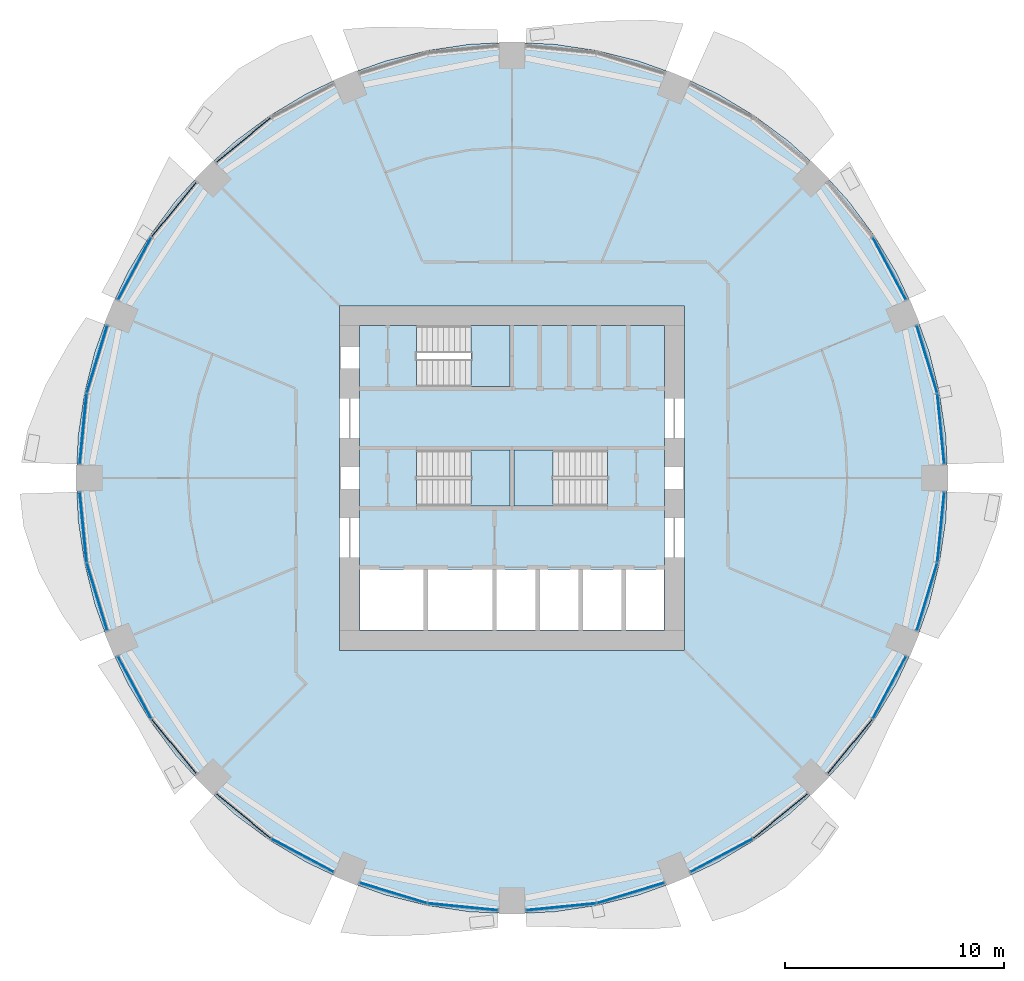
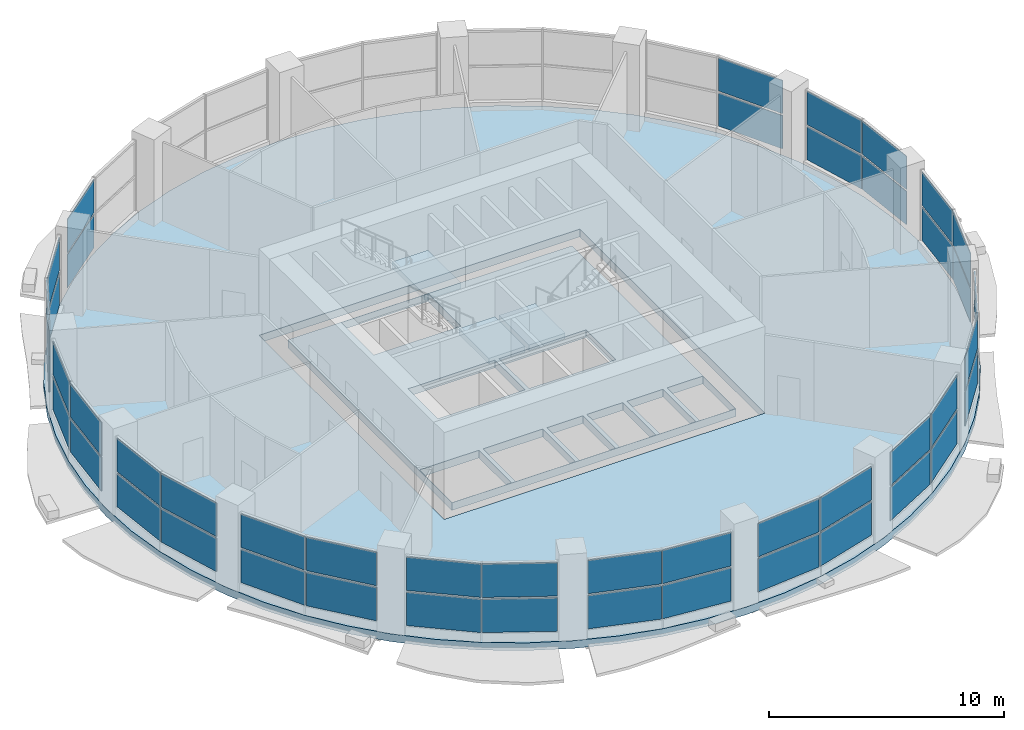
# One storey, part 6 of 14: 48 plates, 5 slabs, 16 elements without a shape of their own.
"""IFC4 building model written with IfcOpenShell, lengths in metres."""

from ifc_helpers import new_model, si_unit, direction, frame, origin, origin_2d, place, context, subcontext, project, spatial, polyline, rectangle, outline, extrude, material, layer, layer_set, type_object, element, aggregate, save


model = new_model("IFC4")

# Units and contexts
model_context = context("Model", 3, precision=1e-05, world=origin(), true_north=direction((0.0, 1.0)))
body_context = subcontext(model_context, "Body", "Model", "MODEL_VIEW")
ifc_project = project(units=[si_unit("LENGTHUNIT", "METRE"), si_unit("AREAUNIT", "SQUARE_METRE"), si_unit("VOLUMEUNIT", "CUBIC_METRE"), si_unit("PLANEANGLEUNIT", "RADIAN"), si_unit("MASSUNIT", "GRAM", prefix="KILO")], contexts=[model_context])

# Site, building, storey
site_placement = place(None, origin())
site = spatial("IfcSite", under=ifc_project, at=site_placement, CompositionType="ELEMENT")
building_placement = place(site_placement, origin())
building = spatial("IfcBuilding", under=site, at=building_placement, Name="Polderwave Tower", CompositionType="ELEMENT")
storey_placement = place(building_placement, frame((0.0, 0.0, 9.89990234375)))
storey = spatial("IfcBuildingStorey", under=building, at=storey_placement, Name="L02", CompositionType="ELEMENT", Elevation=9.89990234375)

# Slabs
ifc_material_1 = material(Name="Concrete C40/50", Category="concrete")
ifc_layer_1 = layer(ifc_material_1, 0.39990234375)
ifc_layer_set_1 = layer_set([ifc_layer_1], Name="Core floor slab 400")
slab_type_1 = type_object("IfcSlabType", Name="Core floor slab 400", PredefinedType="FLOOR", material=ifc_layer_set_1)
slab_1_placement = place(storey_placement, frame((0.0, 0.0, -0.39990234375)))
element("IfcSlab", 1, at=slab_1_placement, inside=storey, type_object=slab_type_1, Name="L02 core floor", PredefinedType="FLOOR", context=body_context, shape_type="SweptSolid", body=[
    extrude(outline(polyline([(-6.97412109375, -6.97412109375), (6.97412109375, -6.97412109375), (6.97412109375, 6.97412109375), (-6.97412109375, 6.97412109375), (-6.97412109375, -6.97412109375)]), holes=[polyline([(-6.9541015625, -6.9541015625), (-4.037109375, -6.9541015625), (-4.037109375, -4.174072265625), (-6.9541015625, -4.174072265625), (-6.9541015625, -6.9541015625)]), polyline([(-3.8369140625, -6.9541015625), (-0.89990234375, -6.9541015625), (-0.89990234375, -4.174072265625), (-3.8369140625, -4.174072265625), (-3.8369140625, -6.9541015625)]), polyline([(-0.699951171875, -6.9541015625), (1.068603515625, -6.9541015625), (1.068603515625, -4.174072265625), (-0.699951171875, -4.174072265625), (-0.699951171875, -6.9541015625)]), polyline([(1.2685546875, -6.9541015625), (3.037109375, -6.9541015625), (3.037109375, -4.174072265625), (1.2685546875, -4.174072265625), (1.2685546875, -6.9541015625)]), polyline([(3.237060546875, -6.9541015625), (5.005615234375, -6.9541015625), (5.005615234375, -4.174072265625), (3.237060546875, -4.174072265625), (3.237060546875, -6.9541015625)]), polyline([(5.20556640625, -6.9541015625), (6.9541015625, -6.9541015625), (6.9541015625, -4.174072265625), (5.20556640625, -4.174072265625), (5.20556640625, -6.9541015625)]), polyline([(-4.37353515625, -1.2744140625), (-0.1005859375, -1.2744140625), (-0.1005859375, 1.2744140625), (-4.37353515625, 1.2744140625), (-4.37353515625, -1.2744140625)]), polyline([(0.1005859375, -1.2744140625), (4.37353515625, -1.2744140625), (4.37353515625, 1.2744140625), (0.1005859375, 1.2744140625), (0.1005859375, -1.2744140625)]), polyline([(-4.37353515625, 4.174560546875), (-0.1005859375, 4.174560546875), (-0.1005859375, 6.9541015625), (-4.37353515625, 6.9541015625), (-4.37353515625, 4.174560546875)])]), origin(), (0.0, 0.0, 1.0), 0.39990234375),
])
ifc_layer_2 = layer(ifc_material_1, 0.39990234375)
ifc_layer_set_2 = layer_set([ifc_layer_2], Name="PT FLOOR SLAB 400 C40/50")
slab_type_2 = type_object("IfcSlabType", Name="PT FLOOR SLAB 400 C40/50", PredefinedType="FLOOR", material=ifc_layer_set_2)
slab_2_placement = place(storey_placement, frame((0.0, 0.0, -0.39990234375)))
element("IfcSlab", 2, at=slab_2_placement, inside=storey, type_object=slab_type_2, Name="ST-SLAB-L02", PredefinedType="FLOOR", context=body_context, shape_type="SweptSolid", body=[
    extrude(outline(polyline([(19.919921875, 0.0), (19.82421875, 1.952392578125), (19.537109375, 3.88623046875), (19.062255859375, 5.782470703125), (18.40380859375, 7.623046875), (17.56787109375, 9.39013671875), (16.56298828125, 11.06689453125), (15.3984375, 12.63720703125), (14.085693359375, 14.085693359375), (12.63720703125, 15.3984375), (11.06689453125, 16.56298828125), (9.39013671875, 17.56787109375), (7.623046875, 18.40380859375), (5.782470703125, 19.062255859375), (3.88623046875, 19.537109375), (1.952392578125, 19.82421875), (0.0, 19.919921875), (-1.952392578125, 19.82421875), (-3.88623046875, 19.537109375), (-5.782470703125, 19.062255859375), (-7.623046875, 18.40380859375), (-9.39013671875, 17.56787109375), (-11.06689453125, 16.56298828125), (-12.63720703125, 15.3984375), (-14.085693359375, 14.085693359375), (-15.3984375, 12.63720703125), (-16.56298828125, 11.06689453125), (-17.56787109375, 9.39013671875), (-18.40380859375, 7.623046875), (-19.062255859375, 5.782470703125), (-19.537109375, 3.88623046875), (-19.82421875, 1.952392578125), (-19.919921875, 0.0), (-19.82421875, -1.952392578125), (-19.537109375, -3.88623046875), (-19.062255859375, -5.782470703125), (-18.40380859375, -7.623046875), (-17.56787109375, -9.39013671875), (-16.56298828125, -11.06689453125), (-15.3984375, -12.63720703125), (-14.085693359375, -14.085693359375), (-12.63720703125, -15.3984375), (-11.06689453125, -16.56298828125), (-9.39013671875, -17.56787109375), (-7.623046875, -18.40380859375), (-5.782470703125, -19.062255859375), (-3.88623046875, -19.537109375), (-1.952392578125, -19.82421875), (0.0, -19.919921875), (1.952392578125, -19.82421875), (3.88623046875, -19.537109375), (5.782470703125, -19.062255859375), (7.623046875, -18.40380859375), (9.39013671875, -17.56787109375), (11.06689453125, -16.56298828125), (12.63720703125, -15.3984375), (14.085693359375, -14.085693359375), (15.3984375, -12.63720703125), (16.56298828125, -11.06689453125), (17.56787109375, -9.39013671875), (18.40380859375, -7.623046875), (19.062255859375, -5.782470703125), (19.537109375, -3.88623046875), (19.82421875, -1.952392578125), (19.919921875, 0.0)]), holes=[polyline([(-7.8740234375, -7.8740234375), (7.8740234375, -7.8740234375), (7.8740234375, 7.8740234375), (-7.8740234375, 7.8740234375), (-7.8740234375, -7.8740234375)])]), origin(), (0.0, 0.0, 1.0), 0.39990234375),
])

# Curtain wall, plates
ifc_material_2 = material(Name="Aluminium 6063-T6 and glass", Category="aluminium")
curtain_wall_type = type_object("IfcCurtainWallType", Name="Shopfront glazing wall", PredefinedType="NOTDEFINED", material=ifc_material_2)
curtain_wall_1_placement = place(storey_placement, origin())
curtain_wall_1 = element("IfcCurtainWall", 3, at=curtain_wall_1_placement, inside=storey, type_object=curtain_wall_type, Name="CW1 L02 00", PredefinedType="NOTDEFINED")
ifc_material_3 = material(Name="Glass, low-e laminated double glazing", Category="glass")
ifc_layer_3 = layer(ifc_material_3, 0.035888671875)
ifc_layer_set_3 = layer_set([ifc_layer_3], Name="Shopfront glazing glass panel 36 mm")
plate_type = type_object("IfcPlateType", Name="Shopfront glazing glass panel 36 mm", PredefinedType="CURTAIN_PANEL", material=ifc_layer_set_3)
plate_1_placement = place(storey_placement, frame((19.598388671875, 2.248291015625, 0.449951171875), z_axis=(0.0, 0.0, 1.0), x_axis=(-0.098086617091, 0.99517788136, 0.0)))
plate_1 = element("IfcPlate", 4, at=plate_1_placement, type_object=plate_type, Name="CW1 panel 1", PredefinedType="CURTAIN_PANEL", context=body_context, shape_type="SweptSolid", body=[
    extrude(rectangle(XDim=3.19287109375, YDim=0.035888671875, at=origin_2d()), origin(), (0.0, 0.0, 1.0), 1.72509765625),
])
plate_2_placement = place(storey_placement, frame((19.598388671875, 2.248291015625, 2.275146484375), z_axis=(0.0, 0.0, 1.0), x_axis=(-0.098086617091, 0.99517788136, 0.0)))
plate_2 = element("IfcPlate", 5, at=plate_2_placement, type_object=plate_type, Name="CW1 panel 2", PredefinedType="CURTAIN_PANEL", context=body_context, shape_type="SweptSolid", body=[
    extrude(rectangle(XDim=3.19287109375, YDim=0.035888671875, at=origin_2d()), origin(), (0.0, 0.0, 1.0), 1.72509765625),
])
plate_3_placement = place(storey_placement, frame((18.966796875, 5.423095703125, 0.449951171875), z_axis=(0.0, 0.0, 1.0), x_axis=(-0.290336452284, 0.956924628419, 0.0)))
plate_3 = element("IfcPlate", 6, at=plate_3_placement, type_object=plate_type, Name="CW1 panel 3", PredefinedType="CURTAIN_PANEL", context=body_context, shape_type="SweptSolid", body=[
    extrude(rectangle(XDim=3.1923828125, YDim=0.035888671875, at=origin_2d()), origin(), (0.0, 0.0, 1.0), 1.72509765625),
])
plate_4_placement = place(storey_placement, frame((18.966796875, 5.423095703125, 2.275146484375), z_axis=(0.0, 0.0, 1.0), x_axis=(-0.290336452284, 0.956924628419, 0.0)))
plate_4 = element("IfcPlate", 7, at=plate_4_placement, type_object=plate_type, Name="CW1 panel 4", PredefinedType="CURTAIN_PANEL", context=body_context, shape_type="SweptSolid", body=[
    extrude(rectangle(XDim=3.1923828125, YDim=0.035888671875, at=origin_2d()), origin(), (0.0, 0.0, 1.0), 1.72509765625),
])
aggregate(curtain_wall_1, [plate_1, plate_2, plate_3, plate_4])

curtain_wall_2_placement = place(storey_placement, origin())
curtain_wall_2 = element("IfcCurtainWall", 8, at=curtain_wall_2_placement, inside=storey, type_object=curtain_wall_type, Name="CW1 L02 01", PredefinedType="NOTDEFINED")
plate_5_placement = place(storey_placement, frame((17.246337890625, 9.57666015625, 0.449951171875), z_axis=(0.0, 0.0, 1.0), x_axis=(-0.471299761669, 0.881973091795, 0.0)))
plate_5 = element("IfcPlate", 9, at=plate_5_placement, type_object=plate_type, Name="CW1 panel 1", PredefinedType="CURTAIN_PANEL", context=body_context, shape_type="SweptSolid", body=[
    extrude(rectangle(XDim=3.1923828125, YDim=0.035888671875, at=origin_2d()), origin(), (0.0, 0.0, 1.0), 1.72509765625),
])
plate_6_placement = place(storey_placement, frame((17.246337890625, 9.57666015625, 2.275146484375), z_axis=(0.0, 0.0, 1.0), x_axis=(-0.471299761669, 0.881973091795, 0.0)))
plate_6 = element("IfcPlate", 10, at=plate_6_placement, type_object=plate_type, Name="CW1 panel 2", PredefinedType="CURTAIN_PANEL", context=body_context, shape_type="SweptSolid", body=[
    extrude(rectangle(XDim=3.1923828125, YDim=0.035888671875, at=origin_2d()), origin(), (0.0, 0.0, 1.0), 1.72509765625),
])
aggregate(curtain_wall_2, [plate_5, plate_6])

curtain_wall_3_placement = place(storey_placement, origin())
curtain_wall_3 = element("IfcCurtainWall", 11, at=curtain_wall_3_placement, inside=storey, type_object=curtain_wall_type, Name="CW1 L02 05", PredefinedType="NOTDEFINED")
plate_7_placement = place(storey_placement, frame((-12.268310546875, 15.447998046875, 0.449951171875), z_axis=(0.0, 0.0, 1.0), x_axis=(-0.772992737459, -0.63441487044, 0.0)))
plate_7 = element("IfcPlate", 12, at=plate_7_placement, type_object=plate_type, Name="CW1 panel 3", PredefinedType="CURTAIN_PANEL", context=body_context, shape_type="SweptSolid", body=[
    extrude(rectangle(XDim=3.193359375, YDim=0.035888671875, at=origin_2d()), origin(), (0.0, 0.0, 1.0), 1.72509765625),
])
plate_8_placement = place(storey_placement, frame((-12.268310546875, 15.447998046875, 2.275146484375), z_axis=(0.0, 0.0, 1.0), x_axis=(-0.772992737459, -0.63441487044, 0.0)))
plate_8 = element("IfcPlate", 13, at=plate_8_placement, type_object=plate_type, Name="CW1 panel 4", PredefinedType="CURTAIN_PANEL", context=body_context, shape_type="SweptSolid", body=[
    extrude(rectangle(XDim=3.193359375, YDim=0.035888671875, at=origin_2d()), origin(), (0.0, 0.0, 1.0), 1.72509765625),
])
aggregate(curtain_wall_3, [plate_7, plate_8])

curtain_wall_4_placement = place(storey_placement, origin())
curtain_wall_4 = element("IfcCurtainWall", 14, at=curtain_wall_4_placement, inside=storey, type_object=curtain_wall_type, Name="CW1 L02 06", PredefinedType="NOTDEFINED")
plate_9_placement = place(storey_placement, frame((-15.447998046875, 12.268310546875, 0.449951171875), z_axis=(0.0, 0.0, 1.0), x_axis=(-0.63441487044, -0.772992737459, 0.0)))
plate_9 = element("IfcPlate", 15, at=plate_9_placement, type_object=plate_type, Name="CW1 panel 1", PredefinedType="CURTAIN_PANEL", context=body_context, shape_type="SweptSolid", body=[
    extrude(rectangle(XDim=3.193359375, YDim=0.035888671875, at=origin_2d()), origin(), (0.0, 0.0, 1.0), 1.72509765625),
])
plate_10_placement = place(storey_placement, frame((-15.447998046875, 12.268310546875, 2.275146484375), z_axis=(0.0, 0.0, 1.0), x_axis=(-0.63441487044, -0.772992737459, 0.0)))
plate_10 = element("IfcPlate", 16, at=plate_10_placement, type_object=plate_type, Name="CW1 panel 2", PredefinedType="CURTAIN_PANEL", context=body_context, shape_type="SweptSolid", body=[
    extrude(rectangle(XDim=3.193359375, YDim=0.035888671875, at=origin_2d()), origin(), (0.0, 0.0, 1.0), 1.72509765625),
])
plate_11_placement = place(storey_placement, frame((-17.246337890625, 9.57666015625, 0.449951171875), z_axis=(0.0, 0.0, 1.0), x_axis=(-0.471299761669, -0.881973091795, 0.0)))
plate_11 = element("IfcPlate", 17, at=plate_11_placement, type_object=plate_type, Name="CW1 panel 3", PredefinedType="CURTAIN_PANEL", context=body_context, shape_type="SweptSolid", body=[
    extrude(rectangle(XDim=3.1923828125, YDim=0.035888671875, at=origin_2d()), origin(), (0.0, 0.0, 1.0), 1.72509765625),
])
plate_12_placement = place(storey_placement, frame((-17.246337890625, 9.57666015625, 2.275146484375), z_axis=(0.0, 0.0, 1.0), x_axis=(-0.471299761669, -0.881973091795, 0.0)))
plate_12 = element("IfcPlate", 18, at=plate_12_placement, type_object=plate_type, Name="CW1 panel 4", PredefinedType="CURTAIN_PANEL", context=body_context, shape_type="SweptSolid", body=[
    extrude(rectangle(XDim=3.1923828125, YDim=0.035888671875, at=origin_2d()), origin(), (0.0, 0.0, 1.0), 1.72509765625),
])
aggregate(curtain_wall_4, [plate_9, plate_10, plate_11, plate_12])

curtain_wall_5_placement = place(storey_placement, origin())
curtain_wall_5 = element("IfcCurtainWall", 19, at=curtain_wall_5_placement, inside=storey, type_object=curtain_wall_type, Name="CW1 L02 07", PredefinedType="NOTDEFINED")
plate_13_placement = place(storey_placement, frame((-18.966796875, 5.423095703125, 0.449951171875), z_axis=(0.0, 0.0, 1.0), x_axis=(-0.290336452284, -0.956924628419, 0.0)))
plate_13 = element("IfcPlate", 20, at=plate_13_placement, type_object=plate_type, Name="CW1 panel 1", PredefinedType="CURTAIN_PANEL", context=body_context, shape_type="SweptSolid", body=[
    extrude(rectangle(XDim=3.1923828125, YDim=0.035888671875, at=origin_2d()), origin(), (0.0, 0.0, 1.0), 1.72509765625),
])
plate_14_placement = place(storey_placement, frame((-18.966796875, 5.423095703125, 2.275146484375), z_axis=(0.0, 0.0, 1.0), x_axis=(-0.290336452284, -0.956924628419, 0.0)))
plate_14 = element("IfcPlate", 21, at=plate_14_placement, type_object=plate_type, Name="CW1 panel 2", PredefinedType="CURTAIN_PANEL", context=body_context, shape_type="SweptSolid", body=[
    extrude(rectangle(XDim=3.1923828125, YDim=0.035888671875, at=origin_2d()), origin(), (0.0, 0.0, 1.0), 1.72509765625),
])
plate_15_placement = place(storey_placement, frame((-19.598388671875, 2.248291015625, 0.449951171875), z_axis=(0.0, 0.0, 1.0), x_axis=(-0.098086617091, -0.99517788136, 0.0)))
plate_15 = element("IfcPlate", 22, at=plate_15_placement, type_object=plate_type, Name="CW1 panel 3", PredefinedType="CURTAIN_PANEL", context=body_context, shape_type="SweptSolid", body=[
    extrude(rectangle(XDim=3.19287109375, YDim=0.035888671875, at=origin_2d()), origin(), (0.0, 0.0, 1.0), 1.72509765625),
])
plate_16_placement = place(storey_placement, frame((-19.598388671875, 2.248291015625, 2.275146484375), z_axis=(0.0, 0.0, 1.0), x_axis=(-0.098086617091, -0.99517788136, 0.0)))
plate_16 = element("IfcPlate", 23, at=plate_16_placement, type_object=plate_type, Name="CW1 panel 4", PredefinedType="CURTAIN_PANEL", context=body_context, shape_type="SweptSolid", body=[
    extrude(rectangle(XDim=3.19287109375, YDim=0.035888671875, at=origin_2d()), origin(), (0.0, 0.0, 1.0), 1.72509765625),
])
aggregate(curtain_wall_5, [plate_13, plate_14, plate_15, plate_16])

curtain_wall_6_placement = place(storey_placement, origin())
curtain_wall_6 = element("IfcCurtainWall", 24, at=curtain_wall_6_placement, inside=storey, type_object=curtain_wall_type, Name="CW1 L02 08", PredefinedType="NOTDEFINED")
plate_17_placement = place(storey_placement, frame((-19.598388671875, -2.248291015625, 0.449951171875), z_axis=(0.0, 0.0, 1.0), x_axis=(0.098086617091, -0.99517788136, 0.0)))
plate_17 = element("IfcPlate", 25, at=plate_17_placement, type_object=plate_type, Name="CW1 panel 1", PredefinedType="CURTAIN_PANEL", context=body_context, shape_type="SweptSolid", body=[
    extrude(rectangle(XDim=3.19287109375, YDim=0.035888671875, at=origin_2d()), origin(), (0.0, 0.0, 1.0), 1.72509765625),
])
plate_18_placement = place(storey_placement, frame((-19.598388671875, -2.248291015625, 2.275146484375), z_axis=(0.0, 0.0, 1.0), x_axis=(0.098086617091, -0.99517788136, 0.0)))
plate_18 = element("IfcPlate", 26, at=plate_18_placement, type_object=plate_type, Name="CW1 panel 2", PredefinedType="CURTAIN_PANEL", context=body_context, shape_type="SweptSolid", body=[
    extrude(rectangle(XDim=3.19287109375, YDim=0.035888671875, at=origin_2d()), origin(), (0.0, 0.0, 1.0), 1.72509765625),
])
plate_19_placement = place(storey_placement, frame((-18.966796875, -5.423095703125, 0.449951171875), z_axis=(0.0, 0.0, 1.0), x_axis=(0.290336452284, -0.956924628419, 0.0)))
plate_19 = element("IfcPlate", 27, at=plate_19_placement, type_object=plate_type, Name="CW1 panel 3", PredefinedType="CURTAIN_PANEL", context=body_context, shape_type="SweptSolid", body=[
    extrude(rectangle(XDim=3.1923828125, YDim=0.035888671875, at=origin_2d()), origin(), (0.0, 0.0, 1.0), 1.72509765625),
])
plate_20_placement = place(storey_placement, frame((-18.966796875, -5.423095703125, 2.275146484375), z_axis=(0.0, 0.0, 1.0), x_axis=(0.290336452284, -0.956924628419, 0.0)))
plate_20 = element("IfcPlate", 28, at=plate_20_placement, type_object=plate_type, Name="CW1 panel 4", PredefinedType="CURTAIN_PANEL", context=body_context, shape_type="SweptSolid", body=[
    extrude(rectangle(XDim=3.1923828125, YDim=0.035888671875, at=origin_2d()), origin(), (0.0, 0.0, 1.0), 1.72509765625),
])
aggregate(curtain_wall_6, [plate_17, plate_18, plate_19, plate_20])

curtain_wall_7_placement = place(storey_placement, origin())
curtain_wall_7 = element("IfcCurtainWall", 29, at=curtain_wall_7_placement, inside=storey, type_object=curtain_wall_type, Name="CW1 L02 09", PredefinedType="NOTDEFINED")
plate_21_placement = place(storey_placement, frame((-17.246337890625, -9.57666015625, 0.449951171875), z_axis=(0.0, 0.0, 1.0), x_axis=(0.471299761669, -0.881973091795, 0.0)))
plate_21 = element("IfcPlate", 30, at=plate_21_placement, type_object=plate_type, Name="CW1 panel 1", PredefinedType="CURTAIN_PANEL", context=body_context, shape_type="SweptSolid", body=[
    extrude(rectangle(XDim=3.1923828125, YDim=0.035888671875, at=origin_2d()), origin(), (0.0, 0.0, 1.0), 1.72509765625),
])
plate_22_placement = place(storey_placement, frame((-17.246337890625, -9.57666015625, 2.275146484375), z_axis=(0.0, 0.0, 1.0), x_axis=(0.471299761669, -0.881973091795, 0.0)))
plate_22 = element("IfcPlate", 31, at=plate_22_placement, type_object=plate_type, Name="CW1 panel 2", PredefinedType="CURTAIN_PANEL", context=body_context, shape_type="SweptSolid", body=[
    extrude(rectangle(XDim=3.1923828125, YDim=0.035888671875, at=origin_2d()), origin(), (0.0, 0.0, 1.0), 1.72509765625),
])
plate_23_placement = place(storey_placement, frame((-15.447998046875, -12.268310546875, 0.449951171875), z_axis=(0.0, 0.0, 1.0), x_axis=(0.63441487044, -0.772992737459, 0.0)))
plate_23 = element("IfcPlate", 32, at=plate_23_placement, type_object=plate_type, Name="CW1 panel 3", PredefinedType="CURTAIN_PANEL", context=body_context, shape_type="SweptSolid", body=[
    extrude(rectangle(XDim=3.193359375, YDim=0.035888671875, at=origin_2d()), origin(), (0.0, 0.0, 1.0), 1.72509765625),
])
plate_24_placement = place(storey_placement, frame((-15.447998046875, -12.268310546875, 2.275146484375), z_axis=(0.0, 0.0, 1.0), x_axis=(0.63441487044, -0.772992737459, 0.0)))
plate_24 = element("IfcPlate", 33, at=plate_24_placement, type_object=plate_type, Name="CW1 panel 4", PredefinedType="CURTAIN_PANEL", context=body_context, shape_type="SweptSolid", body=[
    extrude(rectangle(XDim=3.193359375, YDim=0.035888671875, at=origin_2d()), origin(), (0.0, 0.0, 1.0), 1.72509765625),
])
aggregate(curtain_wall_7, [plate_21, plate_22, plate_23, plate_24])

curtain_wall_8_placement = place(storey_placement, origin())
curtain_wall_8 = element("IfcCurtainWall", 34, at=curtain_wall_8_placement, inside=storey, type_object=curtain_wall_type, Name="CW1 L02 10", PredefinedType="NOTDEFINED")
plate_25_placement = place(storey_placement, frame((-12.268310546875, -15.447998046875, 0.449951171875), z_axis=(0.0, 0.0, 1.0), x_axis=(0.772992737459, -0.63441487044, 0.0)))
plate_25 = element("IfcPlate", 35, at=plate_25_placement, type_object=plate_type, Name="CW1 panel 1", PredefinedType="CURTAIN_PANEL", context=body_context, shape_type="SweptSolid", body=[
    extrude(rectangle(XDim=3.193359375, YDim=0.035888671875, at=origin_2d()), origin(), (0.0, 0.0, 1.0), 1.72509765625),
])
plate_26_placement = place(storey_placement, frame((-12.268310546875, -15.447998046875, 2.275146484375), z_axis=(0.0, 0.0, 1.0), x_axis=(0.772992737459, -0.63441487044, 0.0)))
plate_26 = element("IfcPlate", 36, at=plate_26_placement, type_object=plate_type, Name="CW1 panel 2", PredefinedType="CURTAIN_PANEL", context=body_context, shape_type="SweptSolid", body=[
    extrude(rectangle(XDim=3.193359375, YDim=0.035888671875, at=origin_2d()), origin(), (0.0, 0.0, 1.0), 1.72509765625),
])
plate_27_placement = place(storey_placement, frame((-9.57666015625, -17.246337890625, 0.449951171875), z_axis=(0.0, 0.0, 1.0), x_axis=(0.881973091795, -0.471299761669, 0.0)))
plate_27 = element("IfcPlate", 37, at=plate_27_placement, type_object=plate_type, Name="CW1 panel 3", PredefinedType="CURTAIN_PANEL", context=body_context, shape_type="SweptSolid", body=[
    extrude(rectangle(XDim=3.1923828125, YDim=0.035888671875, at=origin_2d()), origin(), (0.0, 0.0, 1.0), 1.72509765625),
])
plate_28_placement = place(storey_placement, frame((-9.57666015625, -17.246337890625, 2.275146484375), z_axis=(0.0, 0.0, 1.0), x_axis=(0.881973091795, -0.471299761669, 0.0)))
plate_28 = element("IfcPlate", 38, at=plate_28_placement, type_object=plate_type, Name="CW1 panel 4", PredefinedType="CURTAIN_PANEL", context=body_context, shape_type="SweptSolid", body=[
    extrude(rectangle(XDim=3.1923828125, YDim=0.035888671875, at=origin_2d()), origin(), (0.0, 0.0, 1.0), 1.72509765625),
])
aggregate(curtain_wall_8, [plate_25, plate_26, plate_27, plate_28])

curtain_wall_9_placement = place(storey_placement, origin())
curtain_wall_9 = element("IfcCurtainWall", 39, at=curtain_wall_9_placement, inside=storey, type_object=curtain_wall_type, Name="CW1 L02 11", PredefinedType="NOTDEFINED")
plate_29_placement = place(storey_placement, frame((-5.423095703125, -18.966796875, 0.449951171875), z_axis=(0.0, 0.0, 1.0), x_axis=(0.956924628419, -0.290336452284, 0.0)))
plate_29 = element("IfcPlate", 40, at=plate_29_placement, type_object=plate_type, Name="CW1 panel 1", PredefinedType="CURTAIN_PANEL", context=body_context, shape_type="SweptSolid", body=[
    extrude(rectangle(XDim=3.1923828125, YDim=0.035888671875, at=origin_2d()), origin(), (0.0, 0.0, 1.0), 1.72509765625),
])
plate_30_placement = place(storey_placement, frame((-5.423095703125, -18.966796875, 2.275146484375), z_axis=(0.0, 0.0, 1.0), x_axis=(0.956924628419, -0.290336452284, 0.0)))
plate_30 = element("IfcPlate", 41, at=plate_30_placement, type_object=plate_type, Name="CW1 panel 2", PredefinedType="CURTAIN_PANEL", context=body_context, shape_type="SweptSolid", body=[
    extrude(rectangle(XDim=3.1923828125, YDim=0.035888671875, at=origin_2d()), origin(), (0.0, 0.0, 1.0), 1.72509765625),
])
plate_31_placement = place(storey_placement, frame((-2.248291015625, -19.598388671875, 0.449951171875), z_axis=(0.0, 0.0, 1.0), x_axis=(0.99517788136, -0.098086617091, 0.0)))
plate_31 = element("IfcPlate", 42, at=plate_31_placement, type_object=plate_type, Name="CW1 panel 3", PredefinedType="CURTAIN_PANEL", context=body_context, shape_type="SweptSolid", body=[
    extrude(rectangle(XDim=3.19287109375, YDim=0.035888671875, at=origin_2d()), origin(), (0.0, 0.0, 1.0), 1.72509765625),
])
plate_32_placement = place(storey_placement, frame((-2.248291015625, -19.598388671875, 2.275146484375), z_axis=(0.0, 0.0, 1.0), x_axis=(0.99517788136, -0.098086617091, 0.0)))
plate_32 = element("IfcPlate", 43, at=plate_32_placement, type_object=plate_type, Name="CW1 panel 4", PredefinedType="CURTAIN_PANEL", context=body_context, shape_type="SweptSolid", body=[
    extrude(rectangle(XDim=3.19287109375, YDim=0.035888671875, at=origin_2d()), origin(), (0.0, 0.0, 1.0), 1.72509765625),
])
aggregate(curtain_wall_9, [plate_29, plate_30, plate_31, plate_32])

curtain_wall_10_placement = place(storey_placement, origin())
curtain_wall_10 = element("IfcCurtainWall", 44, at=curtain_wall_10_placement, inside=storey, type_object=curtain_wall_type, Name="CW1 L02 12", PredefinedType="NOTDEFINED")
plate_33_placement = place(storey_placement, frame((2.248291015625, -19.598388671875, 0.449951171875), z_axis=(0.0, 0.0, 1.0), x_axis=(0.99517788136, 0.098086617091, 0.0)))
plate_33 = element("IfcPlate", 45, at=plate_33_placement, type_object=plate_type, Name="CW1 panel 1", PredefinedType="CURTAIN_PANEL", context=body_context, shape_type="SweptSolid", body=[
    extrude(rectangle(XDim=3.19287109375, YDim=0.035888671875, at=origin_2d()), origin(), (0.0, 0.0, 1.0), 1.72509765625),
])
plate_34_placement = place(storey_placement, frame((2.248291015625, -19.598388671875, 2.275146484375), z_axis=(0.0, 0.0, 1.0), x_axis=(0.99517788136, 0.098086617091, 0.0)))
plate_34 = element("IfcPlate", 46, at=plate_34_placement, type_object=plate_type, Name="CW1 panel 2", PredefinedType="CURTAIN_PANEL", context=body_context, shape_type="SweptSolid", body=[
    extrude(rectangle(XDim=3.19287109375, YDim=0.035888671875, at=origin_2d()), origin(), (0.0, 0.0, 1.0), 1.72509765625),
])
plate_35_placement = place(storey_placement, frame((5.423095703125, -18.966796875, 0.449951171875), z_axis=(0.0, 0.0, 1.0), x_axis=(0.956924628419, 0.290336452284, 0.0)))
plate_35 = element("IfcPlate", 47, at=plate_35_placement, type_object=plate_type, Name="CW1 panel 3", PredefinedType="CURTAIN_PANEL", context=body_context, shape_type="SweptSolid", body=[
    extrude(rectangle(XDim=3.1923828125, YDim=0.035888671875, at=origin_2d()), origin(), (0.0, 0.0, 1.0), 1.72509765625),
])
plate_36_placement = place(storey_placement, frame((5.423095703125, -18.966796875, 2.275146484375), z_axis=(0.0, 0.0, 1.0), x_axis=(0.956924628419, 0.290336452284, 0.0)))
plate_36 = element("IfcPlate", 48, at=plate_36_placement, type_object=plate_type, Name="CW1 panel 4", PredefinedType="CURTAIN_PANEL", context=body_context, shape_type="SweptSolid", body=[
    extrude(rectangle(XDim=3.1923828125, YDim=0.035888671875, at=origin_2d()), origin(), (0.0, 0.0, 1.0), 1.72509765625),
])
aggregate(curtain_wall_10, [plate_33, plate_34, plate_35, plate_36])

curtain_wall_11_placement = place(storey_placement, origin())
curtain_wall_11 = element("IfcCurtainWall", 49, at=curtain_wall_11_placement, inside=storey, type_object=curtain_wall_type, Name="CW1 L02 13", PredefinedType="NOTDEFINED")
plate_37_placement = place(storey_placement, frame((9.57666015625, -17.246337890625, 0.449951171875), z_axis=(0.0, 0.0, 1.0), x_axis=(0.881973091795, 0.471299761669, 0.0)))
plate_37 = element("IfcPlate", 50, at=plate_37_placement, type_object=plate_type, Name="CW1 panel 1", PredefinedType="CURTAIN_PANEL", context=body_context, shape_type="SweptSolid", body=[
    extrude(rectangle(XDim=3.1923828125, YDim=0.035888671875, at=origin_2d()), origin(), (0.0, 0.0, 1.0), 1.72509765625),
])
plate_38_placement = place(storey_placement, frame((9.57666015625, -17.246337890625, 2.275146484375), z_axis=(0.0, 0.0, 1.0), x_axis=(0.881973091795, 0.471299761669, 0.0)))
plate_38 = element("IfcPlate", 51, at=plate_38_placement, type_object=plate_type, Name="CW1 panel 2", PredefinedType="CURTAIN_PANEL", context=body_context, shape_type="SweptSolid", body=[
    extrude(rectangle(XDim=3.1923828125, YDim=0.035888671875, at=origin_2d()), origin(), (0.0, 0.0, 1.0), 1.72509765625),
])
plate_39_placement = place(storey_placement, frame((12.268310546875, -15.447998046875, 0.449951171875), z_axis=(0.0, 0.0, 1.0), x_axis=(0.772992737459, 0.63441487044, 0.0)))
plate_39 = element("IfcPlate", 52, at=plate_39_placement, type_object=plate_type, Name="CW1 panel 3", PredefinedType="CURTAIN_PANEL", context=body_context, shape_type="SweptSolid", body=[
    extrude(rectangle(XDim=3.193359375, YDim=0.035888671875, at=origin_2d()), origin(), (0.0, 0.0, 1.0), 1.72509765625),
])
plate_40_placement = place(storey_placement, frame((12.268310546875, -15.447998046875, 2.275146484375), z_axis=(0.0, 0.0, 1.0), x_axis=(0.772992737459, 0.63441487044, 0.0)))
plate_40 = element("IfcPlate", 53, at=plate_40_placement, type_object=plate_type, Name="CW1 panel 4", PredefinedType="CURTAIN_PANEL", context=body_context, shape_type="SweptSolid", body=[
    extrude(rectangle(XDim=3.193359375, YDim=0.035888671875, at=origin_2d()), origin(), (0.0, 0.0, 1.0), 1.72509765625),
])
aggregate(curtain_wall_11, [plate_37, plate_38, plate_39, plate_40])

curtain_wall_12_placement = place(storey_placement, origin())
curtain_wall_12 = element("IfcCurtainWall", 54, at=curtain_wall_12_placement, inside=storey, type_object=curtain_wall_type, Name="CW1 L02 14", PredefinedType="NOTDEFINED")
plate_41_placement = place(storey_placement, frame((15.447998046875, -12.268310546875, 0.449951171875), z_axis=(0.0, 0.0, 1.0), x_axis=(0.63441487044, 0.772992737459, 0.0)))
plate_41 = element("IfcPlate", 55, at=plate_41_placement, type_object=plate_type, Name="CW1 panel 1", PredefinedType="CURTAIN_PANEL", context=body_context, shape_type="SweptSolid", body=[
    extrude(rectangle(XDim=3.193359375, YDim=0.035888671875, at=origin_2d()), origin(), (0.0, 0.0, 1.0), 1.72509765625),
])
plate_42_placement = place(storey_placement, frame((15.447998046875, -12.268310546875, 2.275146484375), z_axis=(0.0, 0.0, 1.0), x_axis=(0.63441487044, 0.772992737459, 0.0)))
plate_42 = element("IfcPlate", 56, at=plate_42_placement, type_object=plate_type, Name="CW1 panel 2", PredefinedType="CURTAIN_PANEL", context=body_context, shape_type="SweptSolid", body=[
    extrude(rectangle(XDim=3.193359375, YDim=0.035888671875, at=origin_2d()), origin(), (0.0, 0.0, 1.0), 1.72509765625),
])
plate_43_placement = place(storey_placement, frame((17.246337890625, -9.57666015625, 0.449951171875), z_axis=(0.0, 0.0, 1.0), x_axis=(0.471299761669, 0.881973091795, 0.0)))
plate_43 = element("IfcPlate", 57, at=plate_43_placement, type_object=plate_type, Name="CW1 panel 3", PredefinedType="CURTAIN_PANEL", context=body_context, shape_type="SweptSolid", body=[
    extrude(rectangle(XDim=3.1923828125, YDim=0.035888671875, at=origin_2d()), origin(), (0.0, 0.0, 1.0), 1.72509765625),
])
plate_44_placement = place(storey_placement, frame((17.246337890625, -9.57666015625, 2.275146484375), z_axis=(0.0, 0.0, 1.0), x_axis=(0.471299761669, 0.881973091795, 0.0)))
plate_44 = element("IfcPlate", 58, at=plate_44_placement, type_object=plate_type, Name="CW1 panel 4", PredefinedType="CURTAIN_PANEL", context=body_context, shape_type="SweptSolid", body=[
    extrude(rectangle(XDim=3.1923828125, YDim=0.035888671875, at=origin_2d()), origin(), (0.0, 0.0, 1.0), 1.72509765625),
])
aggregate(curtain_wall_12, [plate_41, plate_42, plate_43, plate_44])

curtain_wall_13_placement = place(storey_placement, origin())
curtain_wall_13 = element("IfcCurtainWall", 59, at=curtain_wall_13_placement, inside=storey, type_object=curtain_wall_type, Name="CW1 L02 15", PredefinedType="NOTDEFINED")
plate_45_placement = place(storey_placement, frame((18.966796875, -5.423095703125, 0.449951171875), z_axis=(0.0, 0.0, 1.0), x_axis=(0.290336452284, 0.956924628419, 0.0)))
plate_45 = element("IfcPlate", 60, at=plate_45_placement, type_object=plate_type, Name="CW1 panel 1", PredefinedType="CURTAIN_PANEL", context=body_context, shape_type="SweptSolid", body=[
    extrude(rectangle(XDim=3.1923828125, YDim=0.035888671875, at=origin_2d()), origin(), (0.0, 0.0, 1.0), 1.72509765625),
])
plate_46_placement = place(storey_placement, frame((18.966796875, -5.423095703125, 2.275146484375), z_axis=(0.0, 0.0, 1.0), x_axis=(0.290336452284, 0.956924628419, 0.0)))
plate_46 = element("IfcPlate", 61, at=plate_46_placement, type_object=plate_type, Name="CW1 panel 2", PredefinedType="CURTAIN_PANEL", context=body_context, shape_type="SweptSolid", body=[
    extrude(rectangle(XDim=3.1923828125, YDim=0.035888671875, at=origin_2d()), origin(), (0.0, 0.0, 1.0), 1.72509765625),
])
plate_47_placement = place(storey_placement, frame((19.598388671875, -2.248291015625, 0.449951171875), z_axis=(0.0, 0.0, 1.0), x_axis=(0.098086617091, 0.99517788136, 0.0)))
plate_47 = element("IfcPlate", 62, at=plate_47_placement, type_object=plate_type, Name="CW1 panel 3", PredefinedType="CURTAIN_PANEL", context=body_context, shape_type="SweptSolid", body=[
    extrude(rectangle(XDim=3.19287109375, YDim=0.035888671875, at=origin_2d()), origin(), (0.0, 0.0, 1.0), 1.72509765625),
])
plate_48_placement = place(storey_placement, frame((19.598388671875, -2.248291015625, 2.275146484375), z_axis=(0.0, 0.0, 1.0), x_axis=(0.098086617091, 0.99517788136, 0.0)))
plate_48 = element("IfcPlate", 63, at=plate_48_placement, type_object=plate_type, Name="CW1 panel 4", PredefinedType="CURTAIN_PANEL", context=body_context, shape_type="SweptSolid", body=[
    extrude(rectangle(XDim=3.19287109375, YDim=0.035888671875, at=origin_2d()), origin(), (0.0, 0.0, 1.0), 1.72509765625),
])
aggregate(curtain_wall_13, [plate_45, plate_46, plate_47, plate_48])

# Stair, slab
stair_type = type_object("IfcStairType", Name="Exit stair 1200 x 22 risers", PredefinedType="HALF_TURN_STAIR", material=ifc_material_1)
stair_1_placement = place(storey_placement, origin())
stair_1 = element("IfcStair", 64, at=stair_1_placement, inside=storey, type_object=stair_type, Name="L02 Exit stair A", PredefinedType="HALF_TURN_STAIR")
ifc_layer_4 = layer(ifc_material_1, 0.300048828125)
ifc_layer_set_4 = layer_set([ifc_layer_4], Name="Stair landing 300")
slab_type_3 = type_object("IfcSlabType", Name="Stair landing 300", PredefinedType="LANDING", material=ifc_layer_set_4)
slab_3_placement = place(storey_placement, frame((0.0, 0.0, 1.9501953125)))
slab_3 = element("IfcSlab", 65, at=slab_3_placement, type_object=slab_type_3, Name="ST-A landing 1", PredefinedType="LANDING", context=body_context, shape_type="SweptSolid", body=[
    extrude(outline(polyline([(-1.8740234375, -1.27490234375), (-0.10009765625, -1.27490234375), (-0.10009765625, 1.27490234375), (-1.8740234375, 1.27490234375), (-1.8740234375, -1.27490234375)])), origin(), (0.0, 0.0, 1.0), 0.2998046875),
])
aggregate(stair_1, [slab_3])

stair_2_placement = place(storey_placement, origin())
stair_2 = element("IfcStair", 66, at=stair_2_placement, inside=storey, type_object=stair_type, Name="L02 Exit stair B", PredefinedType="HALF_TURN_STAIR")
slab_4_placement = place(storey_placement, frame((0.0, 0.0, 1.9501953125)))
slab_4 = element("IfcSlab", 67, at=slab_4_placement, type_object=slab_type_3, Name="ST-B landing 1", PredefinedType="LANDING", context=body_context, shape_type="SweptSolid", body=[
    extrude(outline(polyline([(1.8740234375, 1.27490234375), (0.10009765625, 1.27490234375), (0.10009765625, -1.27490234375), (1.8740234375, -1.27490234375), (1.8740234375, 1.27490234375)])), origin(), (0.0, 0.0, 1.0), 0.2998046875),
])
aggregate(stair_2, [slab_4])

stair_3_placement = place(storey_placement, origin())
stair_3 = element("IfcStair", 68, at=stair_3_placement, inside=storey, type_object=stair_type, Name="L02 Exit stair C", PredefinedType="HALF_TURN_STAIR")
slab_5_placement = place(storey_placement, frame((0.0, 0.0, 1.9501953125)))
slab_5 = element("IfcSlab", 69, at=slab_5_placement, type_object=slab_type_3, Name="ST-C landing 1", PredefinedType="LANDING", context=body_context, shape_type="SweptSolid", body=[
    extrude(outline(polyline([(-1.8740234375, 4.174072265625), (-0.10009765625, 4.174072265625), (-0.10009765625, 6.97412109375), (-1.8740234375, 6.97412109375), (-1.8740234375, 4.174072265625)])), origin(), (0.0, 0.0, 1.0), 0.2998046875),
])
aggregate(stair_3, [slab_5])

save(model, "model.ifc")
